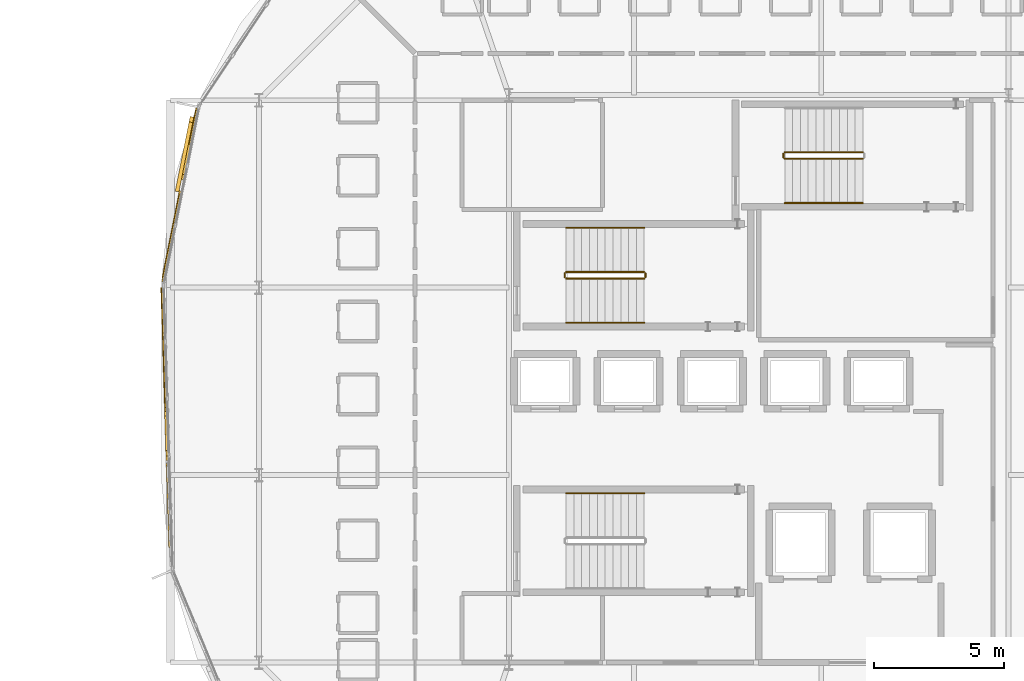
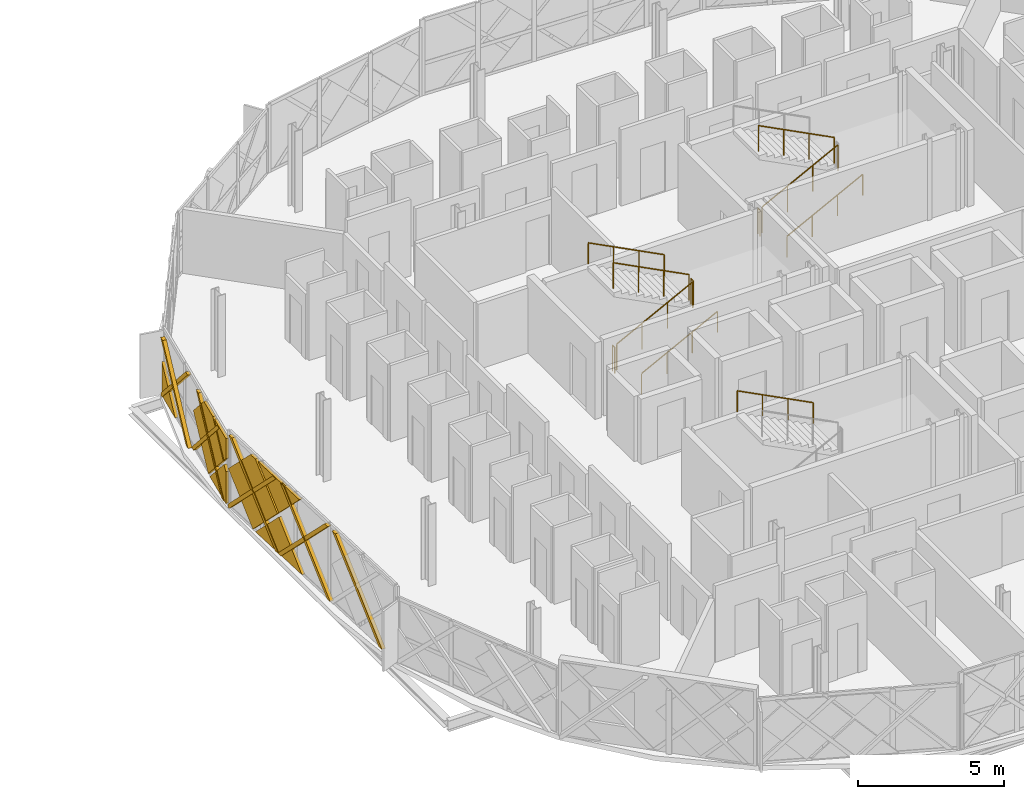
# One storey, part 23 of 26: 16 coverings, 11 railings.
"""IFC4 building model written with IfcOpenShell, lengths in metres."""

from ifc_helpers import new_model, si_unit, direction, frame, origin, origin_2d, place, context, subcontext, project, spatial, polyline, circle, outline, extrude, material, layer, layer_set, type_object, element, save


model = new_model("IFC4")

# Units and contexts
model_context = context("Model", 3, precision=1e-05, world=origin(), true_north=direction((0.0, 1.0)))
body_context = subcontext(model_context, "Body", "Model", "MODEL_VIEW")
ifc_project = project(units=[si_unit("LENGTHUNIT", "METRE"), si_unit("AREAUNIT", "SQUARE_METRE"), si_unit("VOLUMEUNIT", "CUBIC_METRE"), si_unit("PLANEANGLEUNIT", "RADIAN"), si_unit("MASSUNIT", "GRAM", prefix="KILO")], contexts=[model_context])

# Site, building, storey
site_placement = place(None, origin())
site = spatial("IfcSite", under=ifc_project, at=site_placement, CompositionType="ELEMENT")
building_placement = place(site_placement, origin())
building = spatial("IfcBuilding", under=site, at=building_placement, Name="Zevrakil Square Congress Hotel", CompositionType="ELEMENT")
storey_placement = place(building_placement, frame((0.0, 0.0, 24.89990234375)))
storey = spatial("IfcBuildingStorey", under=building, at=storey_placement, Name="L07", CompositionType="ELEMENT", Elevation=24.89990234375)

# Coverings
ifc_material_1 = material(Name="Architectural White Fibre-C GRC", Category="concrete")
ifc_layer_1 = layer(ifc_material_1, 0.06494140625)
ifc_layer_set_1 = layer_set([ifc_layer_1], Name="Architectural White Fibre-C GRC")
covering_type_1 = type_object("IfcCoveringType", Name="COV-DIA-WHITE", PredefinedType="CLADDING", material=ifc_layer_set_1)
covering_1_placement = place(storey_placement, frame((124.51904296875, 36.713623046875, 0.080078125), z_axis=(-0.980773211912, 0.195150319531, 0.000509492578), x_axis=(0.19515034486, 0.980773339208, 0.0)))
element("IfcCovering", 1, at=covering_1_placement, inside=storey, type_object=covering_type_1, Name="L07 45-degree white GRC diamond facade cassette 2727", PredefinedType="CLADDING", context=body_context, shape_type="SweptSolid", body=[
    extrude(outline(polyline([(0.0, 0.0), (1.409920564436228, 2.710505431213761e-20), (1.4100634968177175, -1.4099122923694223), (0.0, 0.0)])), origin(), (0.0, 0.0, -1.0), 0.1201171875),
])
covering_2_placement = place(storey_placement, frame((123.50341796875, 31.603515625, 1.590087890625), z_axis=(-0.980806414548, 0.194983065121, 0.000617654243), x_axis=(-0.138260638724, -0.693239906181, -0.707320597931)))
element("IfcCovering", 2, at=covering_2_placement, inside=storey, type_object=covering_type_1, Name="L07 45-degree white GRC diamond facade cassette 2728", PredefinedType="CLADDING", context=body_context, shape_type="SweptSolid", body=[
    extrude(outline(polyline([(0.0, 0.0), (0.2626685838788677, -2.7755575615628914e-17), (1.1992815540517578, -0.9361156018748005), (0.0006259372608885538, -2.13549674671937), (0.0, 0.0)])), origin(), (0.0, 0.0, -1.0), 0.1201171875),
])
covering_3_placement = place(storey_placement, frame((123.52099609375, 31.69189453125, 1.68017578125), z_axis=(-0.980773676185, 0.195147761922, 0.000589168728), x_axis=(0.137575724284, 0.693563025001, -0.707137363204)))
element("IfcCovering", 3, at=covering_3_placement, inside=storey, type_object=covering_type_1, Name="L07 45-degree white GRC diamond facade cassette 2729", PredefinedType="CLADDING", context=body_context, shape_type="SweptSolid", body=[
    extrude(outline(polyline([(0.0, 0.0), (2.248626634014228, 0.0), (2.2485315272273336, -2.2487268394313427), (0.6716361393743278, -2.2485974889003177), (-8.508608338675394e-06, -1.5768945636484015), (0.0, 0.0)])), origin(), (0.0, 0.0, -1.0), 0.1201171875),
])
covering_4_placement = place(storey_placement, frame((123.503662109375, 31.603515625, 1.77001953125), z_axis=(-0.980794270495, 0.195044346432, 0.000549444855), x_axis=(0.138282882028, 0.693373078116, 0.707185703391)))
element("IfcCovering", 4, at=covering_4_placement, inside=storey, type_object=covering_type_1, Name="L07 45-degree white GRC diamond facade cassette 2730", PredefinedType="CLADDING", context=body_context, shape_type="SweptSolid", body=[
    extrude(outline(polyline([(0.0, 0.0), (1.4496142522684028, 0.0), (0.5937566287816534, -0.8560489771643452), (0.0001089202797406319, -0.2626686276283983), (0.0, 0.0)])), origin(), (0.0, 0.0, -1.0), 0.1201171875),
])
covering_5_placement = place(storey_placement, frame((123.55224609375, 27.943603515625, 1.590087890625), z_axis=(-0.999500173978, -0.031608263347, 0.000565602362), x_axis=(0.021950640625, -0.706764897631, -0.70710787639)))
element("IfcCovering", 5, at=covering_5_placement, inside=storey, type_object=covering_type_1, Name="L07 45-degree white GRC diamond facade cassette 2735", PredefinedType="CLADDING", context=body_context, shape_type="SweptSolid", body=[
    extrude(outline(polyline([(0.0, 0.0), (2.135472982330829, 0.0), (-3.0898232996845465e-05, -2.1355111789037706), (0.0, 0.0)])), origin(), (0.0, 0.0, -1.0), 0.1201171875),
])
covering_6_placement = place(storey_placement, frame((123.54931640625, 28.03369140625, 1.68017578125), z_axis=(-0.999500515108, -0.031597459274, 0.000566450715), x_axis=(-0.022742032458, 0.706705940802, -0.707141791436)))
element("IfcCovering", 6, at=covering_6_placement, inside=storey, type_object=covering_type_1, Name="L07 45-degree white GRC diamond facade cassette 2737", PredefinedType="CLADDING", context=body_context, shape_type="SweptSolid", body=[
    extrude(outline(polyline([(0.0, 0.0), (2.2486124367881875, 2.220446049250313e-16), (2.248522154902294, -2.234588957420811), (2.234365507710459, -2.2487441982579806), (0.2261189845458369, -2.2484709836924903), (-0.00013588552577648016, -2.022193749378351), (0.0, 0.0)])), origin(), (0.0, 0.0, -1.0), 0.1201171875),
])
covering_7_placement = place(storey_placement, frame((123.55224609375, 27.943603515625, 1.77001953125), z_axis=(-0.999500067589, -0.03161014614, 0.000643078955), x_axis=(-0.02189856498, 0.706808388511, 0.707066018687)))
element("IfcCovering", 7, at=covering_7_placement, inside=storey, type_object=covering_type_1, Name="L07 45-degree white GRC diamond facade cassette 2739", PredefinedType="CLADDING", context=body_context, shape_type="SweptSolid", body=[
    extrude(outline(polyline([(0.0, 0.0), (1.8952797266555201, 1.1102230246251565e-16), (8.918935300472608e-05, -1.8949728361308749), (0.0, 0.0)])), origin(), (0.0, 0.0, -1.0), 0.1201171875),
])
ifc_material_2 = material(Name="Anodised Champagne Aluminium", Category="aluminium")
ifc_layer_2 = layer(ifc_material_2, 0.0849609375)
ifc_layer_set_2 = layer_set([ifc_layer_2], Name="Anodised Champagne Aluminium")
covering_type_2 = type_object("IfcCoveringType", Name="COV-DIAGRID-45", PredefinedType="MOLDING", material=ifc_layer_set_2)
covering_8_placement = place(storey_placement, frame((124.752685546875, 38.01708984375, 0.080078125), z_axis=(-0.980719845187, 0.195416776171, 0.000932119592), x_axis=(0.195416861672, 0.980720271114, 6.64668e-07)))
element("IfcCovering", 8, at=covering_8_placement, inside=storey, type_object=covering_type_2, Name="L07 45-degree aluminium diagrid rib 2731", PredefinedType="MOLDING", context=body_context, shape_type="SweptSolid", body=[
    extrude(outline(polyline([(0.0, 0.0), (0.08589654711662151, 3.3881317890172014e-21), (0.08589663101146776, -0.12622064829172472), (-2.5028275048493134, -2.715090772439774), (-2.7149355462246376, -2.715090861699412), (0.0, 0.0)])), origin(), (0.0, 0.0, -1.0), 0.14501953125),
])
covering_9_placement = place(storey_placement, frame((124.097412109375, 34.7216796875, 0.080078125), z_axis=(-0.980801190293, 0.195009738129, 0.000476607605), x_axis=(0.195009760177, 0.98080130171, -2.15585e-07)))
element("IfcCovering", 9, at=covering_9_placement, inside=storey, type_object=covering_type_2, Name="L07 45-degree aluminium diagrid rib 2732", PredefinedType="MOLDING", context=body_context, shape_type="SweptSolid", body=[
    extrude(outline(polyline([(0.0, 0.0), (0.2120603902653011, -3.3881317890172014e-21), (-2.502878356764858, -2.7150876594143765), (-2.71522581027769, -2.715087567918353), (0.0, 0.0)])), origin(), (0.0, 0.0, -1.0), 0.14501953125),
])
covering_10_placement = place(storey_placement, frame((124.701171875, 37.7490234375, 2.795166015625), z_axis=(0.980669115741, -0.195673415113, 7.037979e-06), x_axis=(-0.195673415118, -0.980669115765, 0.0)))
element("IfcCovering", 10, at=covering_10_placement, inside=storey, type_object=covering_type_2, Name="L07 45-degree aluminium diagrid rib 2733", PredefinedType="MOLDING", context=body_context, shape_type="SweptSolid", body=[
    extrude(outline(polyline([(0.0, 0.0), (0.21210804863334146, 5.293955920339377e-23), (2.9271868396084484, 2.7150878906922435), (2.715078790975107, 2.7150878906922435), (0.0, 0.0)])), origin(), (0.0, 0.0, -1.0), 0.14501953125),
])
covering_11_placement = place(storey_placement, frame((124.045654296875, 34.45361328125, 2.795166015625), z_axis=(-0.980779229663, 0.195119811535, 0.00060150425), x_axis=(-0.195119846633, -0.98077940713, 3.39594e-07)))
element("IfcCovering", 11, at=covering_11_placement, inside=storey, type_object=covering_type_2, Name="L07 45-degree aluminium diagrid rib 2734", PredefinedType="MOLDING", context=body_context, shape_type="SweptSolid", body=[
    extrude(outline(polyline([(0.0, 0.0), (0.21206037816297138, 3.3881317890172014e-21), (2.9271854620614484, -2.7150893758505736), (2.71507744721717, -2.7150892318053486), (0.0, 0.0)])), origin(), (0.0, 0.0, -1.0), 0.14501953125),
])
covering_12_placement = place(storey_placement, frame((123.426025390625, 31.115234375, 0.080078125), z_axis=(-0.999505937014, -0.031421793888, 0.000743466759), x_axis=(-0.03142180242, 0.999506213254, 2.04887e-07)))
element("IfcCovering", 12, at=covering_12_placement, inside=storey, type_object=covering_type_2, Name="L07 45-degree aluminium diagrid rib 2741", PredefinedType="MOLDING", context=body_context, shape_type="SweptSolid", body=[
    extrude(outline(polyline([(0.0, 0.0), (0.08622346999637595, 0.0), (0.08622349585731061, -0.1262206682411987), (-2.817868663023995, -3.0300307310957253), (-3.029885211307565, -3.03003072235867), (0.0, 0.0)])), origin(), (0.0, 0.0, -1.0), 0.14501953125),
])
covering_13_placement = place(storey_placement, frame((123.5322265625, 27.7568359375, 0.080078125), z_axis=(-0.999498932243, -0.031647922437, 0.000541710544), x_axis=(-0.031647927244, 0.99949907889, -3.01509e-07)))
element("IfcCovering", 13, at=covering_13_placement, inside=storey, type_object=covering_type_2, Name="L07 45-degree aluminium diagrid rib 2742", PredefinedType="MOLDING", context=body_context, shape_type="SweptSolid", body=[
    extrude(outline(polyline([(0.0, 0.0), (0.212268271854945, -4.235164736271502e-22), (-2.817870640878191, -3.0300288918423206), (-3.029887167858592, -3.0300287639164725), (0.0, 0.0)])), origin(), (0.0, 0.0, -1.0), 0.14501953125),
])
covering_14_placement = place(storey_placement, frame((123.426513671875, 31.157470703125, 3.110107421875), z_axis=(-0.999517670071, -0.031055209542, 3.4289855e-05), x_axis=(0.03105520956, -0.999517670659, 0.0)))
element("IfcCovering", 14, at=covering_14_placement, inside=storey, type_object=covering_type_2, Name="L07 45-degree aluminium diagrid rib 2744", PredefinedType="MOLDING", context=body_context, shape_type="SweptSolid", body=[
    extrude(outline(polyline([(0.0, 0.0), (0.21226058263198566, 2.6469779601696886e-23), (3.2422832779940363, -3.030029298656345), (3.0300226953620504, -3.030029298656345), (0.0, 0.0)])), origin(), (0.0, 0.0, -1.0), 0.14501953125),
])
covering_15_placement = place(storey_placement, frame((123.53271484375, 27.799072265625, 3.110107421875), z_axis=(-0.999516557015, -0.03109095281, 7.0050372e-05), x_axis=(0.031090952887, -0.999516559467, 0.0)))
element("IfcCovering", 15, at=covering_15_placement, inside=storey, type_object=covering_type_2, Name="L07 45-degree aluminium diagrid rib 2745", PredefinedType="MOLDING", context=body_context, shape_type="SweptSolid", body=[
    extrude(outline(polyline([(0.0, 0.0), (0.21201655989873802, 1.0587911840678754e-22), (3.242039249607862, -3.03002930430926), (3.030022689709124, -3.03002930430926), (0.0, 0.0)])), origin(), (0.0, 0.0, -1.0), 0.14501953125),
])
covering_16_placement = place(storey_placement, frame((123.638916015625, 24.44091796875, 3.110107421875), z_axis=(-0.999498855334, -0.031647920002, 0.000668839071), x_axis=(0.031647926816, -0.999499078903, -3.96628e-07)))
element("IfcCovering", 16, at=covering_16_placement, inside=storey, type_object=covering_type_2, Name="L07 45-degree aluminium diagrid rib 2746", PredefinedType="MOLDING", context=body_context, shape_type="SweptSolid", body=[
    extrude(outline(polyline([(0.0, 0.0), (0.21226054531025457, 8.470329472543003e-22), (3.2422838480840848, -3.030028688631294), (3.030259594559008, -3.030028856914382), (0.0, 0.0)])), origin(), (0.0, 0.0, -1.0), 0.14501953125),
])

# Railings
ifc_material_3 = material(Name="Steel S355", Category="steel")
railing_type_1 = type_object("IfcRailingType", Name="RLG-STAIR-GUARD-1100", PredefinedType="BALUSTRADE", material=ifc_material_3)
railing_1_placement = place(storey_placement, frame((139.0, 31.550048828125, 0.154541015625)))
element("IfcRailing", 17, at=railing_1_placement, inside=storey, type_object=railing_type_1, Name="L07 ST02 stair guard 1", PredefinedType="BALUSTRADE", context=body_context, shape_type="SweptSolid", body=[
    extrude(circle(Radius=0.02392578125, at=origin_2d()), frame((0.0, 0.0, 1.076171875), z_axis=(0.888950458371, 0.0, 0.45800336523), x_axis=(0.0, 1.0, 0.0)), (0.0, 0.0, 1.0), 3.374755859375),
    extrude(circle(Radius=0.02099609375, at=origin_2d()), origin(), (0.0, 0.0, 1.0), 1.052001953125),
    extrude(circle(Radius=0.02099609375, at=origin_2d()), frame((1.0, 0.0, 0.51513671875)), (0.0, 0.0, 1.0), 1.052001953125),
    extrude(circle(Radius=0.02099609375, at=origin_2d()), frame((2.0, 0.0, 1.030517578125)), (0.0, 0.0, 1.0), 1.052001953125),
    extrude(circle(Radius=0.02099609375, at=origin_2d()), frame((3.0, 0.0, 1.545654296875)), (0.0, 0.0, 1.0), 1.052001953125),
])
railing_2_placement = place(storey_placement, frame((142.050048828125, 31.60009765625, 1.7001953125)))
element("IfcRailing", 18, at=railing_2_placement, inside=storey, type_object=railing_type_1, Name="L07 ST02 stair guard 2", PredefinedType="BALUSTRADE", context=body_context, shape_type="SweptSolid", body=[
    extrude(circle(Radius=0.02392578125, at=origin_2d()), frame((0.0, 0.0, 1.076171875), z_axis=(0.0, 1.0, 0.0), x_axis=(-1.0, 0.0, 0.0)), (0.0, 0.0, 1.0), 0.14990234375),
    extrude(circle(Radius=0.02099609375, at=origin_2d()), origin(), (0.0, 0.0, 1.0), 1.052001953125),
    extrude(circle(Radius=0.02099609375, at=origin_2d()), frame((0.0, 0.14990234375, 0.0)), (0.0, 0.0, 1.0), 1.052001953125),
])
railing_3_placement = place(storey_placement, frame((142.0, 31.800048828125, 1.854736328125)))
element("IfcRailing", 19, at=railing_3_placement, inside=storey, type_object=railing_type_1, Name="L07 ST02 stair guard 3", PredefinedType="BALUSTRADE", context=body_context, shape_type="SweptSolid", body=[
    extrude(circle(Radius=0.02392578125, at=origin_2d()), frame((0.0, 0.0, 1.076171875), z_axis=(-0.888979911393, 0.0, 0.45794619459), x_axis=(0.0, -1.0, 0.0)), (0.0, 0.0, 1.0), 3.374755859375),
    extrude(circle(Radius=0.02099609375, at=origin_2d()), origin(), (0.0, 0.0, 1.0), 1.052001953125),
    extrude(circle(Radius=0.02099609375, at=origin_2d()), frame((-1.0, 0.0, 0.51513671875)), (0.0, 0.0, 1.0), 1.052001953125),
    extrude(circle(Radius=0.02099609375, at=origin_2d()), frame((-2.0, 0.0, 1.0302734375)), (0.0, 0.0, 1.0), 1.052001953125),
    extrude(circle(Radius=0.02099609375, at=origin_2d()), frame((-3.0, 0.0, 1.54541015625)), (0.0, 0.0, 1.0), 1.052001953125),
])
railing_4_placement = place(storey_placement, frame((138.949951171875, 31.60009765625, 0.0)))
element("IfcRailing", 20, at=railing_4_placement, inside=storey, type_object=railing_type_1, Name="L07 ST02 stair guard 4", PredefinedType="BALUSTRADE", context=body_context, shape_type="SweptSolid", body=[
    extrude(circle(Radius=0.02392578125, at=origin_2d()), frame((0.0, 0.0, 1.076171875), z_axis=(0.0, 1.0, 0.0), x_axis=(-1.0, 0.0, 0.0)), (0.0, 0.0, 1.0), 0.14990234375),
    extrude(circle(Radius=0.02099609375, at=origin_2d()), origin(), (0.0, 0.0, 1.0), 1.052001953125),
    extrude(circle(Radius=0.02099609375, at=origin_2d()), frame((0.0, 0.14990234375, 0.0)), (0.0, 0.0, 1.0), 1.052001953125),
])
railing_5_placement = place(storey_placement, frame((147.39990234375, 36.14990234375, 0.154541015625)))
element("IfcRailing", 21, at=railing_5_placement, inside=storey, type_object=railing_type_1, Name="L07 ST03 stair guard 1", PredefinedType="BALUSTRADE", context=body_context, shape_type="SweptSolid", body=[
    extrude(circle(Radius=0.02392578125, at=origin_2d()), frame((0.0, 0.0, 1.076171875), z_axis=(0.888950458371, 0.0, 0.45800336523), x_axis=(0.0, 1.0, 0.0)), (0.0, 0.0, 1.0), 3.374755859375),
    extrude(circle(Radius=0.02099609375, at=origin_2d()), origin(), (0.0, 0.0, 1.0), 1.052001953125),
    extrude(circle(Radius=0.02099609375, at=origin_2d()), frame((1.0, 0.0, 0.51513671875)), (0.0, 0.0, 1.0), 1.052001953125),
    extrude(circle(Radius=0.02099609375, at=origin_2d()), frame((2.0, 0.0, 1.030517578125)), (0.0, 0.0, 1.0), 1.052001953125),
    extrude(circle(Radius=0.02099609375, at=origin_2d()), frame((3.0, 0.0, 1.545654296875)), (0.0, 0.0, 1.0), 1.052001953125),
])
railing_6_placement = place(storey_placement, frame((150.39990234375, 36.39990234375, 1.854736328125)))
element("IfcRailing", 22, at=railing_6_placement, inside=storey, type_object=railing_type_1, Name="L07 ST03 stair guard 3", PredefinedType="BALUSTRADE", context=body_context, shape_type="SweptSolid", body=[
    extrude(circle(Radius=0.02392578125, at=origin_2d()), frame((0.0, 0.0, 1.076171875), z_axis=(-0.888979911393, 0.0, 0.45794619459), x_axis=(0.0, -1.0, 0.0)), (0.0, 0.0, 1.0), 3.374755859375),
    extrude(circle(Radius=0.02099609375, at=origin_2d()), origin(), (0.0, 0.0, 1.0), 1.052001953125),
    extrude(circle(Radius=0.02099609375, at=origin_2d()), frame((-1.0, 0.0, 0.51513671875)), (0.0, 0.0, 1.0), 1.052001953125),
    extrude(circle(Radius=0.02099609375, at=origin_2d()), frame((-2.0, 0.0, 1.0302734375)), (0.0, 0.0, 1.0), 1.052001953125),
    extrude(circle(Radius=0.02099609375, at=origin_2d()), frame((-3.0, 0.0, 1.54541015625)), (0.0, 0.0, 1.0), 1.052001953125),
])
railing_7_placement = place(storey_placement, frame((147.35009765625, 36.199951171875, 0.0)))
element("IfcRailing", 23, at=railing_7_placement, inside=storey, type_object=railing_type_1, Name="L07 ST03 stair guard 4", PredefinedType="BALUSTRADE", context=body_context, shape_type="SweptSolid", body=[
    extrude(circle(Radius=0.02392578125, at=origin_2d()), frame((0.0, 0.0, 1.076171875), z_axis=(0.0, 1.0, 0.0), x_axis=(-1.0, 0.0, 0.0)), (0.0, 0.0, 1.0), 0.150146484375),
    extrude(circle(Radius=0.02099609375, at=origin_2d()), origin(), (0.0, 0.0, 1.0), 1.052001953125),
    extrude(circle(Radius=0.02099609375, at=origin_2d()), frame((0.0, 0.150146484375, 0.0)), (0.0, 0.0, 1.0), 1.052001953125),
])
ifc_material_4 = material(Name="Steel S355", Category="steel")
railing_type_2 = type_object("IfcRailingType", Name="RLG-STAIR-HAND-900", PredefinedType="HANDRAIL", material=ifc_material_4)
railing_8_placement = place(storey_placement, frame((142.0, 23.300048828125, 1.854736328125)))
element("IfcRailing", 24, at=railing_8_placement, inside=storey, type_object=railing_type_2, Name="L07 ST01 stair handrail 2", PredefinedType="HANDRAIL", context=body_context, shape_type="SweptSolid", body=[
    extrude(circle(Radius=0.02392578125, at=origin_2d()), frame((0.0, 0.0, 0.8759765625), z_axis=(-0.888979911393, 0.0, 0.45794619459), x_axis=(0.0, -1.0, 0.0)), (0.0, 0.0, 1.0), 3.374755859375),
    extrude(circle(Radius=0.02099609375, at=origin_2d()), origin(), (0.0, 0.0, 1.0), 0.851806640625),
    extrude(circle(Radius=0.02099609375, at=origin_2d()), frame((-1.0, 0.0, 0.51513671875)), (0.0, 0.0, 1.0), 0.851806640625),
    extrude(circle(Radius=0.02099609375, at=origin_2d()), frame((-2.0, 0.0, 1.0302734375)), (0.0, 0.0, 1.0), 0.851806640625),
    extrude(circle(Radius=0.02099609375, at=origin_2d()), frame((-3.0, 0.0, 1.54541015625)), (0.0, 0.0, 1.0), 0.851806640625),
])
railing_9_placement = place(storey_placement, frame((139.0, 29.85009765625, 0.154541015625)))
element("IfcRailing", 25, at=railing_9_placement, inside=storey, type_object=railing_type_2, Name="L07 ST02 stair handrail 1", PredefinedType="HANDRAIL", context=body_context, shape_type="SweptSolid", body=[
    extrude(circle(Radius=0.02392578125, at=origin_2d()), frame((0.0, 0.0, 0.8759765625), z_axis=(0.888950458371, 0.0, 0.45800336523), x_axis=(0.0, 1.0, 0.0)), (0.0, 0.0, 1.0), 3.374755859375),
    extrude(circle(Radius=0.02099609375, at=origin_2d()), origin(), (0.0, 0.0, 1.0), 0.851806640625),
    extrude(circle(Radius=0.02099609375, at=origin_2d()), frame((1.0, 0.0, 0.51513671875)), (0.0, 0.0, 1.0), 0.851806640625),
    extrude(circle(Radius=0.02099609375, at=origin_2d()), frame((2.0, 0.0, 1.030517578125)), (0.0, 0.0, 1.0), 0.851806640625),
    extrude(circle(Radius=0.02099609375, at=origin_2d()), frame((3.0, 0.0, 1.545654296875)), (0.0, 0.0, 1.0), 0.851806640625),
])
railing_10_placement = place(storey_placement, frame((142.0, 33.5, 1.854736328125)))
element("IfcRailing", 26, at=railing_10_placement, inside=storey, type_object=railing_type_2, Name="L07 ST02 stair handrail 2", PredefinedType="HANDRAIL", context=body_context, shape_type="SweptSolid", body=[
    extrude(circle(Radius=0.02392578125, at=origin_2d()), frame((0.0, 0.0, 0.8759765625), z_axis=(-0.888979911393, 0.0, 0.45794619459), x_axis=(0.0, -1.0, 0.0)), (0.0, 0.0, 1.0), 3.374755859375),
    extrude(circle(Radius=0.02099609375, at=origin_2d()), origin(), (0.0, 0.0, 1.0), 0.851806640625),
    extrude(circle(Radius=0.02099609375, at=origin_2d()), frame((-1.0, 0.0, 0.51513671875)), (0.0, 0.0, 1.0), 0.851806640625),
    extrude(circle(Radius=0.02099609375, at=origin_2d()), frame((-2.0, 0.0, 1.0302734375)), (0.0, 0.0, 1.0), 0.851806640625),
    extrude(circle(Radius=0.02099609375, at=origin_2d()), frame((-3.0, 0.0, 1.54541015625)), (0.0, 0.0, 1.0), 0.851806640625),
])
railing_11_placement = place(storey_placement, frame((147.39990234375, 34.449951171875, 0.154541015625)))
element("IfcRailing", 27, at=railing_11_placement, inside=storey, type_object=railing_type_2, Name="L07 ST03 stair handrail 1", PredefinedType="HANDRAIL", context=body_context, shape_type="SweptSolid", body=[
    extrude(circle(Radius=0.02392578125, at=origin_2d()), frame((0.0, 0.0, 0.8759765625), z_axis=(0.888950458371, 0.0, 0.45800336523), x_axis=(0.0, 1.0, 0.0)), (0.0, 0.0, 1.0), 3.374755859375),
    extrude(circle(Radius=0.02099609375, at=origin_2d()), origin(), (0.0, 0.0, 1.0), 0.851806640625),
    extrude(circle(Radius=0.02099609375, at=origin_2d()), frame((1.0, 0.0, 0.51513671875)), (0.0, 0.0, 1.0), 0.851806640625),
    extrude(circle(Radius=0.02099609375, at=origin_2d()), frame((2.0, 0.0, 1.030517578125)), (0.0, 0.0, 1.0), 0.851806640625),
    extrude(circle(Radius=0.02099609375, at=origin_2d()), frame((3.0, 0.0, 1.545654296875)), (0.0, 0.0, 1.0), 0.851806640625),
])

save(model, "model.ifc")
